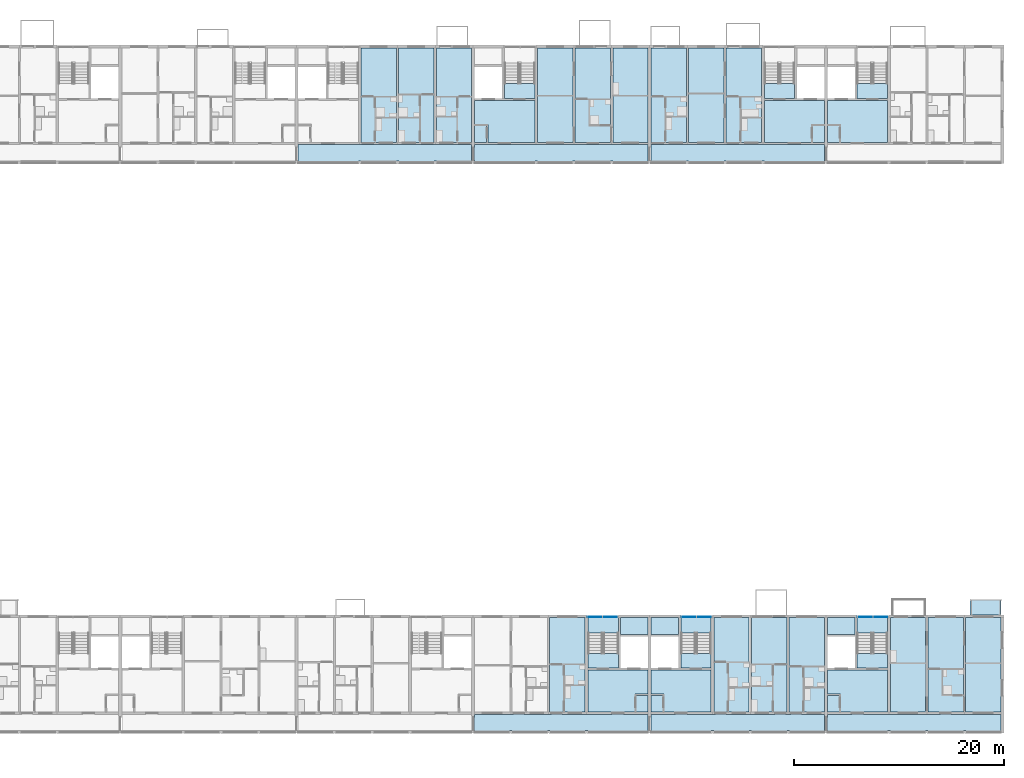
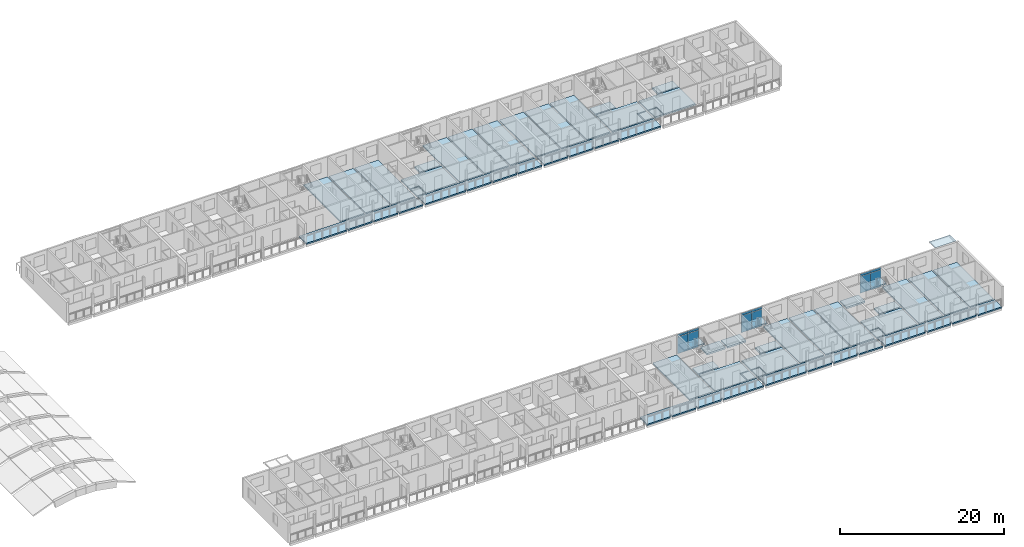
# One storey, part 27 of 93: 47 slabs, 12 plates, 6 elements without a shape of their own.
"""IFC4 building model written with IfcOpenShell, lengths in metres."""

from ifc_helpers import new_model, si_unit, direction, frame, origin, origin_2d, place, context, subcontext, project, spatial, polyline, rectangle, outline, extrude, material, layer, layer_set, type_object, element, aggregate, save


model = new_model("IFC4")

# Units and contexts
model_context = context("Model", 3, precision=1e-05, world=origin(), true_north=direction((0.0, 1.0)))
body_context = subcontext(model_context, "Body", "Model", "MODEL_VIEW")
ifc_project = project(units=[si_unit("LENGTHUNIT", "METRE"), si_unit("AREAUNIT", "SQUARE_METRE"), si_unit("VOLUMEUNIT", "CUBIC_METRE"), si_unit("PLANEANGLEUNIT", "RADIAN"), si_unit("MASSUNIT", "GRAM", prefix="KILO")], contexts=[model_context])

# Site, building, storey
site_placement = place(None, origin())
site = spatial("IfcSite", under=ifc_project, at=site_placement, CompositionType="ELEMENT")
building_placement = place(site_placement, origin())
building = spatial("IfcBuilding", under=site, at=building_placement, Name="Ridgestep Commons", CompositionType="ELEMENT")
storey_placement = place(building_placement, frame((0.0, 0.0, 18.0)))
storey = spatial("IfcBuildingStorey", under=building, at=storey_placement, Name="L06", CompositionType="ELEMENT", Elevation=18.0)

# Slabs
ifc_material_1 = material(Name="Precast concrete C40/50", Category="concrete")
ifc_layer_1 = layer(ifc_material_1, 0.199951171875)
ifc_layer_set_1 = layer_set([ifc_layer_1], Name="Gallery slab 200")
slab_type_1 = type_object("IfcSlabType", Name="Gallery slab 200", PredefinedType="FLOOR", material=ifc_layer_set_1)
slab_1_placement = place(storey_placement, frame((0.0, 0.0, -0.199951171875)))
element("IfcSlab", 1, at=slab_1_placement, inside=storey, type_object=slab_type_1, Name="Gallery slab C3 L06", PredefinedType="FLOOR", context=body_context, shape_type="SweptSolid", body=[
    extrude(outline(polyline([(197.050048828125, 67.800048828125), (180.550048828125, 67.800048828125), (180.550048828125, 66.0), (186.27490234375, 66.0), (186.27490234375, 66.25), (186.52490234375, 66.25), (186.52490234375, 66.0), (189.875, 66.0), (189.875, 66.25), (190.125, 66.25), (190.125, 66.0), (193.47509765625, 66.0), (193.47509765625, 66.25), (193.72509765625, 66.25), (193.72509765625, 66.0), (197.050048828125, 66.0), (197.050048828125, 67.800048828125)])), origin(), (0.0, 0.0, 1.0), 0.199951171875),
])
slab_2_placement = place(storey_placement, frame((0.0, 0.0, -0.199951171875)))
element("IfcSlab", 2, at=slab_2_placement, inside=storey, type_object=slab_type_1, Name="Gallery slab C4 L06", PredefinedType="FLOOR", context=body_context, shape_type="SweptSolid", body=[
    extrude(outline(polyline([(213.85009765625, 67.800048828125), (197.35009765625, 67.800048828125), (197.35009765625, 66.0), (203.074951171875, 66.0), (203.074951171875, 66.25), (203.324951171875, 66.25), (203.324951171875, 66.0), (206.675048828125, 66.0), (206.675048828125, 66.25), (206.925048828125, 66.25), (206.925048828125, 66.0), (210.27490234375, 66.0), (210.27490234375, 66.25), (210.52490234375, 66.25), (210.52490234375, 66.0), (213.85009765625, 66.0), (213.85009765625, 67.800048828125)])), origin(), (0.0, 0.0, 1.0), 0.199951171875),
])
slab_3_placement = place(storey_placement, frame((0.0, 0.0, -0.199951171875)))
element("IfcSlab", 3, at=slab_3_placement, inside=storey, type_object=slab_type_1, Name="Gallery slab C5 L06", PredefinedType="FLOOR", context=body_context, shape_type="SweptSolid", body=[
    extrude(outline(polyline([(230.64990234375, 67.800048828125), (214.14990234375, 67.800048828125), (214.14990234375, 66.0), (217.47509765625, 66.0), (217.47509765625, 66.25), (217.72509765625, 66.25), (217.72509765625, 66.0), (221.074951171875, 66.0), (221.074951171875, 66.25), (221.324951171875, 66.25), (221.324951171875, 66.0), (224.675048828125, 66.0), (224.675048828125, 66.25), (224.925048828125, 66.25), (224.925048828125, 66.0), (230.64990234375, 66.0), (230.64990234375, 67.800048828125)])), origin(), (0.0, 0.0, 1.0), 0.199951171875),
])
slab_4_placement = place(storey_placement, frame((0.0, 0.0, -0.199951171875)))
element("IfcSlab", 4, at=slab_4_placement, inside=storey, type_object=slab_type_1, Name="Gallery slab D4 L06", PredefinedType="FLOOR", context=body_context, shape_type="SweptSolid", body=[
    extrude(outline(polyline([(213.85009765625, 13.550048828125), (197.35009765625, 13.550048828125), (197.35009765625, 11.75), (200.675048828125, 11.75), (200.675048828125, 12.0), (200.925048828125, 12.0), (200.925048828125, 11.75), (204.27490234375, 11.75), (204.27490234375, 12.0), (204.52490234375, 12.0), (204.52490234375, 11.75), (207.875, 11.75), (207.875, 12.0), (208.125, 12.0), (208.125, 11.75), (213.85009765625, 11.75), (213.85009765625, 13.550048828125)])), origin(), (0.0, 0.0, 1.0), 0.199951171875),
])
slab_5_placement = place(storey_placement, frame((0.0, 0.0, -0.199951171875)))
element("IfcSlab", 5, at=slab_5_placement, inside=storey, type_object=slab_type_1, Name="Gallery slab D5 L06", PredefinedType="FLOOR", context=body_context, shape_type="SweptSolid", body=[
    extrude(outline(polyline([(230.64990234375, 13.550048828125), (214.14990234375, 13.550048828125), (214.14990234375, 11.75), (219.875, 11.75), (219.875, 12.0), (220.125, 12.0), (220.125, 11.75), (223.47509765625, 11.75), (223.47509765625, 12.0), (223.72509765625, 12.0), (223.72509765625, 11.75), (227.074951171875, 11.75), (227.074951171875, 12.0), (227.324951171875, 12.0), (227.324951171875, 11.75), (230.64990234375, 11.75), (230.64990234375, 13.550048828125)])), origin(), (0.0, 0.0, 1.0), 0.199951171875),
])
slab_6_placement = place(storey_placement, frame((0.0, 0.0, -0.199951171875)))
element("IfcSlab", 6, at=slab_6_placement, inside=storey, type_object=slab_type_1, Name="Gallery slab D6 L06", PredefinedType="FLOOR", context=body_context, shape_type="SweptSolid", body=[
    extrude(outline(polyline([(247.449951171875, 13.550048828125), (230.949951171875, 13.550048828125), (230.949951171875, 11.75), (236.675048828125, 11.75), (236.675048828125, 12.0), (236.925048828125, 12.0), (236.925048828125, 11.75), (240.27490234375, 11.75), (240.27490234375, 12.0), (240.52490234375, 12.0), (240.52490234375, 11.75), (243.875, 11.75), (243.875, 12.0), (244.125, 12.0), (244.125, 11.75), (247.449951171875, 11.75), (247.449951171875, 13.550048828125)])), origin(), (0.0, 0.0, 1.0), 0.199951171875),
])

# Curtain wall, plates
ifc_material_2 = material(Name="Aluminium 6063-T6 and glass", Category="aluminium")
curtain_wall_type = type_object("IfcCurtainWallType", Name="Curtain wall stair strip", PredefinedType="NOTDEFINED", material=ifc_material_2)
curtain_wall_1_placement = place(storey_placement, origin())
curtain_wall_1 = element("IfcCurtainWall", 7, at=curtain_wall_1_placement, inside=storey, type_object=curtain_wall_type, Name="Curtain wall D4C level 06", PredefinedType="NOTDEFINED")
ifc_material_3 = material(Name="Glass laminated 6/16/6 low-emissivity", Category="glass")
ifc_layer_2 = layer(ifc_material_3, 0.028076171875)
ifc_layer_set_2 = layer_set([ifc_layer_2], Name="Glazing panel 28")
plate_type_1 = type_object("IfcPlateType", Name="Glazing panel 28", PredefinedType="CURTAIN_PANEL", material=ifc_layer_set_2)
plate_1_placement = place(storey_placement, frame((208.771240234375, 22.830078125, 0.06005859375), z_axis=(0.0, 0.0, 1.0), x_axis=(1.0, 0.0, 0.0)))
plate_1 = element("IfcPlate", 8, at=plate_1_placement, type_object=plate_type_1, Name="CW1 panel 1.1", PredefinedType="CURTAIN_PANEL", context=body_context, shape_type="SweptSolid", body=[
    extrude(rectangle(XDim=1.422607421875, YDim=0.028076171875, at=origin_2d()), origin(), (0.0, 0.0, 1.0), 2.5),
])
plate_2_placement = place(storey_placement, frame((210.253662109375, 22.830078125, 0.06005859375), z_axis=(0.0, 0.0, 1.0), x_axis=(1.0, 0.0, 0.0)))
plate_2 = element("IfcPlate", 9, at=plate_2_placement, type_object=plate_type_1, Name="CW1 panel 2.1", PredefinedType="CURTAIN_PANEL", context=body_context, shape_type="SweptSolid", body=[
    extrude(rectangle(XDim=1.422607421875, YDim=0.028076171875, at=origin_2d()), origin(), (0.0, 0.0, 1.0), 2.5),
])

curtain_wall_2_placement = place(storey_placement, origin())
curtain_wall_2 = element("IfcCurtainWall", 10, at=curtain_wall_2_placement, inside=storey, type_object=curtain_wall_type, Name="Curtain wall D5C level 06", PredefinedType="NOTDEFINED")
plate_3_placement = place(storey_placement, frame((217.746337890625, 22.830078125, 0.06005859375), z_axis=(0.0, 0.0, 1.0), x_axis=(1.0, 0.0, 0.0)))
plate_3 = element("IfcPlate", 11, at=plate_3_placement, type_object=plate_type_1, Name="CW1 panel 1.1", PredefinedType="CURTAIN_PANEL", context=body_context, shape_type="SweptSolid", body=[
    extrude(rectangle(XDim=1.422607421875, YDim=0.028076171875, at=origin_2d()), origin(), (0.0, 0.0, 1.0), 2.5),
])
plate_4_placement = place(storey_placement, frame((219.228759765625, 22.830078125, 0.06005859375), z_axis=(0.0, 0.0, 1.0), x_axis=(1.0, 0.0, 0.0)))
plate_4 = element("IfcPlate", 12, at=plate_4_placement, type_object=plate_type_1, Name="CW1 panel 2.1", PredefinedType="CURTAIN_PANEL", context=body_context, shape_type="SweptSolid", body=[
    extrude(rectangle(XDim=1.422607421875, YDim=0.028076171875, at=origin_2d()), origin(), (0.0, 0.0, 1.0), 2.5),
])

curtain_wall_3_placement = place(storey_placement, origin())
curtain_wall_3 = element("IfcCurtainWall", 13, at=curtain_wall_3_placement, inside=storey, type_object=curtain_wall_type, Name="Curtain wall D6C level 06", PredefinedType="NOTDEFINED")
plate_5_placement = place(storey_placement, frame((234.546142578125, 22.830078125, 0.06005859375), z_axis=(0.0, 0.0, 1.0), x_axis=(1.0, 0.0, 0.0)))
plate_5 = element("IfcPlate", 14, at=plate_5_placement, type_object=plate_type_1, Name="CW1 panel 1.1", PredefinedType="CURTAIN_PANEL", context=body_context, shape_type="SweptSolid", body=[
    extrude(rectangle(XDim=1.422607421875, YDim=0.028076171875, at=origin_2d()), origin(), (0.0, 0.0, 1.0), 2.5),
])
plate_6_placement = place(storey_placement, frame((236.02880859375, 22.830078125, 0.06005859375), z_axis=(0.0, 0.0, 1.0), x_axis=(1.0, 0.0, 0.0)))
plate_6 = element("IfcPlate", 15, at=plate_6_placement, type_object=plate_type_1, Name="CW1 panel 2.1", PredefinedType="CURTAIN_PANEL", context=body_context, shape_type="SweptSolid", body=[
    extrude(rectangle(XDim=1.422607421875, YDim=0.028076171875, at=origin_2d()), origin(), (0.0, 0.0, 1.0), 2.5),
])

# Slabs
ifc_material_4 = material(Name="Precast concrete C50/60", Category="concrete")
ifc_layer_3 = layer(ifc_material_4, 0.199951171875)
ifc_layer_set_3 = layer_set([ifc_layer_3], Name="Hollow-core plank 200")
slab_type_2 = type_object("IfcSlabType", Name="Hollow-core plank 200", PredefinedType="FLOOR", material=ifc_layer_set_3)
slab_7_placement = place(storey_placement, frame((0.0, 0.0, -0.199951171875)))
element("IfcSlab", 16, at=slab_7_placement, inside=storey, type_object=slab_type_2, Name="Floor plank C3T3 L06", PredefinedType="FLOOR", context=body_context, shape_type="SweptSolid", body=[
    extrude(outline(polyline([(189.89990234375, 68.0), (189.89990234375, 77.0), (186.52490234375, 77.0), (186.52490234375, 68.0), (189.89990234375, 68.0)])), origin(), (0.0, 0.0, 1.0), 0.199951171875),
])
slab_8_placement = place(storey_placement, frame((0.0, 0.0, -0.199951171875)))
element("IfcSlab", 17, at=slab_8_placement, inside=storey, type_object=slab_type_2, Name="Floor plank C3T2 L06", PredefinedType="FLOOR", context=body_context, shape_type="SweptSolid", body=[
    extrude(outline(polyline([(193.5, 68.0), (193.5, 77.0), (190.10009765625, 77.0), (190.10009765625, 68.0), (193.5, 68.0)])), origin(), (0.0, 0.0, 1.0), 0.199951171875),
])
slab_9_placement = place(storey_placement, frame((0.0, 0.0, -0.199951171875)))
element("IfcSlab", 18, at=slab_9_placement, inside=storey, type_object=slab_type_2, Name="Floor plank C3T1 L06", PredefinedType="FLOOR", context=body_context, shape_type="SweptSolid", body=[
    extrude(outline(polyline([(197.050048828125, 68.0), (197.050048828125, 77.0), (193.699951171875, 77.0), (193.699951171875, 68.0), (197.050048828125, 68.0)])), origin(), (0.0, 0.0, 1.0), 0.199951171875),
])
slab_10_placement = place(storey_placement, frame((0.0, 0.0, -0.199951171875)))
element("IfcSlab", 19, at=slab_10_placement, inside=storey, type_object=slab_type_2, Name="Floor plank C4T3 L06", PredefinedType="FLOOR", context=body_context, shape_type="SweptSolid", body=[
    extrude(outline(polyline([(206.699951171875, 68.0), (206.699951171875, 77.0), (203.324951171875, 77.0), (203.324951171875, 68.0), (206.699951171875, 68.0)])), origin(), (0.0, 0.0, 1.0), 0.199951171875),
])
slab_11_placement = place(storey_placement, frame((0.0, 0.0, -0.199951171875)))
element("IfcSlab", 20, at=slab_11_placement, inside=storey, type_object=slab_type_2, Name="Floor plank C4T2 L06", PredefinedType="FLOOR", context=body_context, shape_type="SweptSolid", body=[
    extrude(outline(polyline([(210.300048828125, 68.0), (210.300048828125, 77.0), (206.89990234375, 77.0), (206.89990234375, 68.0), (210.300048828125, 68.0)])), origin(), (0.0, 0.0, 1.0), 0.199951171875),
])
slab_12_placement = place(storey_placement, frame((0.0, 0.0, -0.199951171875)))
element("IfcSlab", 21, at=slab_12_placement, inside=storey, type_object=slab_type_2, Name="Floor plank C4T1 L06", PredefinedType="FLOOR", context=body_context, shape_type="SweptSolid", body=[
    extrude(outline(polyline([(213.85009765625, 68.0), (213.85009765625, 77.0), (210.5, 77.0), (210.5, 68.0), (213.85009765625, 68.0)])), origin(), (0.0, 0.0, 1.0), 0.199951171875),
])
slab_13_placement = place(storey_placement, frame((0.0, 0.0, -0.199951171875)))
element("IfcSlab", 22, at=slab_13_placement, inside=storey, type_object=slab_type_2, Name="Floor plank C5T1 L06", PredefinedType="FLOOR", context=body_context, shape_type="SweptSolid", body=[
    extrude(outline(polyline([(217.5, 68.0), (217.5, 77.0), (214.14990234375, 77.0), (214.14990234375, 68.0), (217.5, 68.0)])), origin(), (0.0, 0.0, 1.0), 0.199951171875),
])
slab_14_placement = place(storey_placement, frame((0.0, 0.0, -0.199951171875)))
element("IfcSlab", 23, at=slab_14_placement, inside=storey, type_object=slab_type_2, Name="Floor plank C5T2 L06", PredefinedType="FLOOR", context=body_context, shape_type="SweptSolid", body=[
    extrude(outline(polyline([(221.10009765625, 68.0), (221.10009765625, 77.0), (217.699951171875, 77.0), (217.699951171875, 68.0), (221.10009765625, 68.0)])), origin(), (0.0, 0.0, 1.0), 0.199951171875),
])
slab_15_placement = place(storey_placement, frame((0.0, 0.0, -0.199951171875)))
element("IfcSlab", 24, at=slab_15_placement, inside=storey, type_object=slab_type_2, Name="Floor plank C5T3 L06", PredefinedType="FLOOR", context=body_context, shape_type="SweptSolid", body=[
    extrude(outline(polyline([(224.675048828125, 68.0), (224.675048828125, 77.0), (221.300048828125, 77.0), (221.300048828125, 68.0), (224.675048828125, 68.0)])), origin(), (0.0, 0.0, 1.0), 0.199951171875),
])
slab_16_placement = place(storey_placement, frame((0.0, 0.0, -0.199951171875)))
element("IfcSlab", 25, at=slab_16_placement, inside=storey, type_object=slab_type_2, Name="Floor plank D4T3 L06", PredefinedType="FLOOR", context=body_context, shape_type="SweptSolid", body=[
    extrude(outline(polyline([(207.875, 13.75), (207.875, 22.75), (204.5, 22.75), (204.5, 13.75), (207.875, 13.75)])), origin(), (0.0, 0.0, 1.0), 0.199951171875),
])
slab_17_placement = place(storey_placement, frame((0.0, 0.0, -0.199951171875)))
element("IfcSlab", 26, at=slab_17_placement, inside=storey, type_object=slab_type_2, Name="Floor plank D5T3 L06", PredefinedType="FLOOR", context=body_context, shape_type="SweptSolid", body=[
    extrude(outline(polyline([(223.47509765625, 13.75), (223.47509765625, 22.75), (220.125, 22.75), (220.125, 13.75), (223.47509765625, 13.75)])), origin(), (0.0, 0.0, 1.0), 0.199951171875),
])
slab_18_placement = place(storey_placement, frame((0.0, 0.0, -0.199951171875)))
element("IfcSlab", 27, at=slab_18_placement, inside=storey, type_object=slab_type_2, Name="Floor plank D5T2 L06", PredefinedType="FLOOR", context=body_context, shape_type="SweptSolid", body=[
    extrude(outline(polyline([(227.10009765625, 13.75), (227.10009765625, 22.75), (223.72509765625, 22.75), (223.72509765625, 13.75), (227.10009765625, 13.75)])), origin(), (0.0, 0.0, 1.0), 0.199951171875),
])
slab_19_placement = place(storey_placement, frame((0.0, 0.0, -0.199951171875)))
element("IfcSlab", 28, at=slab_19_placement, inside=storey, type_object=slab_type_2, Name="Floor plank D5T1 L06", PredefinedType="FLOOR", context=body_context, shape_type="SweptSolid", body=[
    extrude(outline(polyline([(230.64990234375, 13.75), (230.64990234375, 22.75), (227.300048828125, 22.75), (227.300048828125, 13.75), (230.64990234375, 13.75)])), origin(), (0.0, 0.0, 1.0), 0.199951171875),
])
slab_20_placement = place(storey_placement, frame((0.0, 0.0, -0.199951171875)))
element("IfcSlab", 29, at=slab_20_placement, inside=storey, type_object=slab_type_2, Name="Floor plank D6T3 L06", PredefinedType="FLOOR", context=body_context, shape_type="SweptSolid", body=[
    extrude(outline(polyline([(240.27490234375, 13.75), (240.27490234375, 22.75), (236.925048828125, 22.75), (236.925048828125, 13.75), (240.27490234375, 13.75)])), origin(), (0.0, 0.0, 1.0), 0.199951171875),
])
slab_21_placement = place(storey_placement, frame((0.0, 0.0, -0.199951171875)))
element("IfcSlab", 30, at=slab_21_placement, inside=storey, type_object=slab_type_2, Name="Floor plank D6T2 L06", PredefinedType="FLOOR", context=body_context, shape_type="SweptSolid", body=[
    extrude(outline(polyline([(243.89990234375, 13.75), (243.89990234375, 22.75), (240.52490234375, 22.75), (240.52490234375, 13.75), (243.89990234375, 13.75)])), origin(), (0.0, 0.0, 1.0), 0.199951171875),
])
slab_22_placement = place(storey_placement, frame((0.0, 0.0, -0.199951171875)))
element("IfcSlab", 31, at=slab_22_placement, inside=storey, type_object=slab_type_2, Name="Floor plank D6T1 L06", PredefinedType="FLOOR", context=body_context, shape_type="SweptSolid", body=[
    extrude(outline(polyline([(247.449951171875, 13.75), (247.449951171875, 22.75), (244.10009765625, 22.75), (244.10009765625, 13.75), (247.449951171875, 13.75)])), origin(), (0.0, 0.0, 1.0), 0.199951171875),
])
ifc_material_5 = material(Name="Precast concrete C50/60", Category="concrete")
ifc_layer_4 = layer(ifc_material_5, 0.25)
ifc_layer_set_4 = layer_set([ifc_layer_4], Name="Hollow-core plank 250")
slab_type_3 = type_object("IfcSlabType", Name="Hollow-core plank 250", PredefinedType="FLOOR", material=ifc_layer_set_4)
slab_23_placement = place(storey_placement, frame((0.0, 0.0, -0.25)))
element("IfcSlab", 32, at=slab_23_placement, inside=storey, type_object=slab_type_3, Name="Floor plank C4C L06", PredefinedType="FLOOR", context=body_context, shape_type="SweptSolid", body=[
    extrude(outline(polyline([(198.60009765625, 68.0), (203.074951171875, 68.0), (203.074951171875, 72.0), (197.35009765625, 72.0), (197.35009765625, 69.719970703125), (198.47998046875, 69.719970703125), (198.60009765625, 69.719970703125), (198.60009765625, 68.0)])), origin(), (0.0, 0.0, 1.0), 0.25),
])
slab_24_placement = place(storey_placement, frame((0.0, 0.0, -0.25)))
element("IfcSlab", 33, at=slab_24_placement, inside=storey, type_object=slab_type_3, Name="Floor plank C4C L06", PredefinedType="FLOOR", context=body_context, shape_type="SweptSolid", body=[
    extrude(outline(polyline([(203.074951171875, 72.199951171875), (203.074951171875, 73.60009765625), (200.175048828125, 73.60009765625), (200.175048828125, 72.199951171875), (203.074951171875, 72.199951171875)])), origin(), (0.0, 0.0, 1.0), 0.25),
])
slab_25_placement = place(storey_placement, frame((0.0, 0.0, -0.25)))
element("IfcSlab", 34, at=slab_25_placement, inside=storey, type_object=slab_type_3, Name="Floor plank C4C L06", PredefinedType="FLOOR", context=body_context, shape_type="SweptSolid", body=[
    extrude(outline(polyline([(198.47998046875, 69.60009765625), (197.35009765625, 69.60009765625), (197.35009765625, 68.0), (198.47998046875, 68.0), (198.47998046875, 69.60009765625)])), origin(), (0.0, 0.0, 1.0), 0.25),
])
slab_26_placement = place(storey_placement, frame((0.0, 0.0, -0.25)))
element("IfcSlab", 35, at=slab_26_placement, inside=storey, type_object=slab_type_3, Name="Floor plank C5C L06", PredefinedType="FLOOR", context=body_context, shape_type="SweptSolid", body=[
    extrude(outline(polyline([(229.52001953125, 69.719970703125), (230.64990234375, 69.719970703125), (230.64990234375, 72.0), (224.925048828125, 72.0), (224.925048828125, 68.0), (229.39990234375, 68.0), (229.39990234375, 69.719970703125), (229.52001953125, 69.719970703125)])), origin(), (0.0, 0.0, 1.0), 0.25),
])
slab_27_placement = place(storey_placement, frame((0.0, 0.0, -0.25)))
element("IfcSlab", 36, at=slab_27_placement, inside=storey, type_object=slab_type_3, Name="Floor plank C5C L06", PredefinedType="FLOOR", context=body_context, shape_type="SweptSolid", body=[
    extrude(outline(polyline([(227.824951171875, 72.199951171875), (227.824951171875, 73.60009765625), (224.925048828125, 73.60009765625), (224.925048828125, 72.199951171875), (227.824951171875, 72.199951171875)])), origin(), (0.0, 0.0, 1.0), 0.25),
])
slab_28_placement = place(storey_placement, frame((0.0, 0.0, -0.25)))
element("IfcSlab", 37, at=slab_28_placement, inside=storey, type_object=slab_type_3, Name="Floor plank C5C L06", PredefinedType="FLOOR", context=body_context, shape_type="SweptSolid", body=[
    extrude(outline(polyline([(229.52001953125, 68.0), (230.64990234375, 68.0), (230.64990234375, 69.60009765625), (229.52001953125, 69.60009765625), (229.52001953125, 68.0)])), origin(), (0.0, 0.0, 1.0), 0.25),
])
slab_29_placement = place(storey_placement, frame((0.0, 0.0, -0.25)))
element("IfcSlab", 38, at=slab_29_placement, inside=storey, type_object=slab_type_3, Name="Floor plank C6C L06", PredefinedType="FLOOR", context=body_context, shape_type="SweptSolid", body=[
    extrude(outline(polyline([(232.199951171875, 68.0), (236.675048828125, 68.0), (236.675048828125, 72.0), (230.949951171875, 72.0), (230.949951171875, 69.719970703125), (232.080078125, 69.719970703125), (232.199951171875, 69.719970703125), (232.199951171875, 68.0)])), origin(), (0.0, 0.0, 1.0), 0.25),
])
slab_30_placement = place(storey_placement, frame((0.0, 0.0, -0.25)))
element("IfcSlab", 39, at=slab_30_placement, inside=storey, type_object=slab_type_3, Name="Floor plank C6C L06", PredefinedType="FLOOR", context=body_context, shape_type="SweptSolid", body=[
    extrude(outline(polyline([(236.675048828125, 72.199951171875), (236.675048828125, 73.60009765625), (233.77490234375, 73.60009765625), (233.77490234375, 72.199951171875), (236.675048828125, 72.199951171875)])), origin(), (0.0, 0.0, 1.0), 0.25),
])
slab_31_placement = place(storey_placement, frame((0.0, 0.0, -0.25)))
element("IfcSlab", 40, at=slab_31_placement, inside=storey, type_object=slab_type_3, Name="Floor plank C6C L06", PredefinedType="FLOOR", context=body_context, shape_type="SweptSolid", body=[
    extrude(outline(polyline([(232.080078125, 69.60009765625), (230.949951171875, 69.60009765625), (230.949951171875, 68.0), (232.080078125, 68.0), (232.080078125, 69.60009765625)])), origin(), (0.0, 0.0, 1.0), 0.25),
])
slab_32_placement = place(storey_placement, frame((0.0, 0.0, -0.25)))
element("IfcSlab", 41, at=slab_32_placement, inside=storey, type_object=slab_type_3, Name="Floor plank D4C L06", PredefinedType="FLOOR", context=body_context, shape_type="SweptSolid", body=[
    extrude(outline(polyline([(212.719970703125, 15.469970703125), (213.85009765625, 15.469970703125), (213.85009765625, 17.75), (208.125, 17.75), (208.125, 13.75), (212.60009765625, 13.75), (212.60009765625, 15.469970703125), (212.719970703125, 15.469970703125)])), origin(), (0.0, 0.0, 1.0), 0.25),
])
slab_33_placement = place(storey_placement, frame((0.0, 0.0, -0.25)))
element("IfcSlab", 42, at=slab_33_placement, inside=storey, type_object=slab_type_3, Name="Floor plank D4C L06", PredefinedType="FLOOR", context=body_context, shape_type="SweptSolid", body=[
    extrude(outline(polyline([(213.85009765625, 21.14990234375), (213.85009765625, 22.75), (211.22509765625, 22.75), (211.22509765625, 21.14990234375), (213.85009765625, 21.14990234375)])), origin(), (0.0, 0.0, 1.0), 0.25),
])
slab_34_placement = place(storey_placement, frame((0.0, 0.0, -0.25)))
element("IfcSlab", 43, at=slab_34_placement, inside=storey, type_object=slab_type_3, Name="Floor plank D4C L06", PredefinedType="FLOOR", context=body_context, shape_type="SweptSolid", body=[
    extrude(outline(polyline([(211.02490234375, 17.949951171875), (211.02490234375, 19.35009765625), (208.125, 19.35009765625), (208.125, 17.949951171875), (211.02490234375, 17.949951171875)])), origin(), (0.0, 0.0, 1.0), 0.25),
])
slab_35_placement = place(storey_placement, frame((0.0, 0.0, -0.25)))
element("IfcSlab", 44, at=slab_35_placement, inside=storey, type_object=slab_type_3, Name="Floor plank D4C L06", PredefinedType="FLOOR", context=body_context, shape_type="SweptSolid", body=[
    extrude(outline(polyline([(212.719970703125, 13.75), (213.85009765625, 13.75), (213.85009765625, 15.35009765625), (212.719970703125, 15.35009765625), (212.719970703125, 13.75)])), origin(), (0.0, 0.0, 1.0), 0.25),
])
slab_36_placement = place(storey_placement, frame((0.0, 0.0, -0.25)))
element("IfcSlab", 45, at=slab_36_placement, inside=storey, type_object=slab_type_3, Name="Floor plank D5C L06", PredefinedType="FLOOR", context=body_context, shape_type="SweptSolid", body=[
    extrude(outline(polyline([(215.39990234375, 13.75), (219.875, 13.75), (219.875, 17.75), (214.14990234375, 17.75), (214.14990234375, 15.469970703125), (215.280029296875, 15.469970703125), (215.39990234375, 15.469970703125), (215.39990234375, 13.75)])), origin(), (0.0, 0.0, 1.0), 0.25),
])
slab_37_placement = place(storey_placement, frame((0.0, 0.0, -0.25)))
element("IfcSlab", 46, at=slab_37_placement, inside=storey, type_object=slab_type_3, Name="Floor plank D5C L06", PredefinedType="FLOOR", context=body_context, shape_type="SweptSolid", body=[
    extrude(outline(polyline([(216.77490234375, 22.75), (214.14990234375, 22.75), (214.14990234375, 21.14990234375), (216.77490234375, 21.14990234375), (216.77490234375, 22.75)])), origin(), (0.0, 0.0, 1.0), 0.25),
])
slab_38_placement = place(storey_placement, frame((0.0, 0.0, -0.25)))
element("IfcSlab", 47, at=slab_38_placement, inside=storey, type_object=slab_type_3, Name="Floor plank D5C L06", PredefinedType="FLOOR", context=body_context, shape_type="SweptSolid", body=[
    extrude(outline(polyline([(219.875, 17.949951171875), (219.875, 19.35009765625), (216.97509765625, 19.35009765625), (216.97509765625, 17.949951171875), (219.875, 17.949951171875)])), origin(), (0.0, 0.0, 1.0), 0.25),
])
slab_39_placement = place(storey_placement, frame((0.0, 0.0, -0.25)))
element("IfcSlab", 48, at=slab_39_placement, inside=storey, type_object=slab_type_3, Name="Floor plank D5C L06", PredefinedType="FLOOR", context=body_context, shape_type="SweptSolid", body=[
    extrude(outline(polyline([(215.280029296875, 15.35009765625), (214.14990234375, 15.35009765625), (214.14990234375, 13.75), (215.280029296875, 13.75), (215.280029296875, 15.35009765625)])), origin(), (0.0, 0.0, 1.0), 0.25),
])
slab_40_placement = place(storey_placement, frame((0.0, 0.0, -0.25)))
element("IfcSlab", 49, at=slab_40_placement, inside=storey, type_object=slab_type_3, Name="Floor plank D6C L06", PredefinedType="FLOOR", context=body_context, shape_type="SweptSolid", body=[
    extrude(outline(polyline([(232.199951171875, 13.75), (236.675048828125, 13.75), (236.675048828125, 17.75), (230.949951171875, 17.75), (230.949951171875, 15.469970703125), (232.080078125, 15.469970703125), (232.199951171875, 15.469970703125), (232.199951171875, 13.75)])), origin(), (0.0, 0.0, 1.0), 0.25),
])
slab_41_placement = place(storey_placement, frame((0.0, 0.0, -0.25)))
element("IfcSlab", 50, at=slab_41_placement, inside=storey, type_object=slab_type_3, Name="Floor plank D6C L06", PredefinedType="FLOOR", context=body_context, shape_type="SweptSolid", body=[
    extrude(outline(polyline([(233.574951171875, 22.75), (230.949951171875, 22.75), (230.949951171875, 21.14990234375), (233.574951171875, 21.14990234375), (233.574951171875, 22.75)])), origin(), (0.0, 0.0, 1.0), 0.25),
])
slab_42_placement = place(storey_placement, frame((0.0, 0.0, -0.25)))
element("IfcSlab", 51, at=slab_42_placement, inside=storey, type_object=slab_type_3, Name="Floor plank D6C L06", PredefinedType="FLOOR", context=body_context, shape_type="SweptSolid", body=[
    extrude(outline(polyline([(236.675048828125, 17.949951171875), (236.675048828125, 19.35009765625), (233.77490234375, 19.35009765625), (233.77490234375, 17.949951171875), (236.675048828125, 17.949951171875)])), origin(), (0.0, 0.0, 1.0), 0.25),
])
slab_43_placement = place(storey_placement, frame((0.0, 0.0, -0.25)))
element("IfcSlab", 52, at=slab_43_placement, inside=storey, type_object=slab_type_3, Name="Floor plank D6C L06", PredefinedType="FLOOR", context=body_context, shape_type="SweptSolid", body=[
    extrude(outline(polyline([(232.080078125, 15.35009765625), (230.949951171875, 15.35009765625), (230.949951171875, 13.75), (232.080078125, 13.75), (232.080078125, 15.35009765625)])), origin(), (0.0, 0.0, 1.0), 0.25),
])

# Plate
ifc_material_6 = material(Name="Aluminium 6063-T6 and mineral wool", Category="aluminium")
ifc_layer_5 = layer(ifc_material_6, 0.0400390625)
ifc_layer_set_5 = layer_set([ifc_layer_5], Name="Spandrel panel 40")
plate_type_2 = type_object("IfcPlateType", Name="Spandrel panel 40", PredefinedType="CURTAIN_PANEL", material=ifc_layer_set_5)
plate_7_placement = place(storey_placement, frame((208.771240234375, 22.830078125, 2.6201171875), z_axis=(0.0, 0.0, 1.0), x_axis=(1.0, 0.0, 0.0)))
plate_7 = element("IfcPlate", 53, at=plate_7_placement, type_object=plate_type_2, Name="CW1 panel 1.2", PredefinedType="CURTAIN_PANEL", context=body_context, shape_type="SweptSolid", body=[
    extrude(rectangle(XDim=1.422607421875, YDim=0.0400390625, at=origin_2d()), origin(), (0.0, 0.0, 1.0), 0.320068359375),
])

plate_8_placement = place(storey_placement, frame((210.253662109375, 22.830078125, 2.6201171875), z_axis=(0.0, 0.0, 1.0), x_axis=(1.0, 0.0, 0.0)))
plate_8 = element("IfcPlate", 54, at=plate_8_placement, type_object=plate_type_2, Name="CW1 panel 2.2", PredefinedType="CURTAIN_PANEL", context=body_context, shape_type="SweptSolid", body=[
    extrude(rectangle(XDim=1.422607421875, YDim=0.0400390625, at=origin_2d()), origin(), (0.0, 0.0, 1.0), 0.320068359375),
])

aggregate(curtain_wall_1, [plate_1, plate_7, plate_2, plate_8])

plate_9_placement = place(storey_placement, frame((217.746337890625, 22.830078125, 2.6201171875), z_axis=(0.0, 0.0, 1.0), x_axis=(1.0, 0.0, 0.0)))
plate_9 = element("IfcPlate", 55, at=plate_9_placement, type_object=plate_type_2, Name="CW1 panel 1.2", PredefinedType="CURTAIN_PANEL", context=body_context, shape_type="SweptSolid", body=[
    extrude(rectangle(XDim=1.422607421875, YDim=0.0400390625, at=origin_2d()), origin(), (0.0, 0.0, 1.0), 0.320068359375),
])

plate_10_placement = place(storey_placement, frame((219.228759765625, 22.830078125, 2.6201171875), z_axis=(0.0, 0.0, 1.0), x_axis=(1.0, 0.0, 0.0)))
plate_10 = element("IfcPlate", 56, at=plate_10_placement, type_object=plate_type_2, Name="CW1 panel 2.2", PredefinedType="CURTAIN_PANEL", context=body_context, shape_type="SweptSolid", body=[
    extrude(rectangle(XDim=1.422607421875, YDim=0.0400390625, at=origin_2d()), origin(), (0.0, 0.0, 1.0), 0.320068359375),
])

aggregate(curtain_wall_2, [plate_3, plate_9, plate_4, plate_10])

plate_11_placement = place(storey_placement, frame((234.546142578125, 22.830078125, 2.6201171875), z_axis=(0.0, 0.0, 1.0), x_axis=(1.0, 0.0, 0.0)))
plate_11 = element("IfcPlate", 57, at=plate_11_placement, type_object=plate_type_2, Name="CW1 panel 1.2", PredefinedType="CURTAIN_PANEL", context=body_context, shape_type="SweptSolid", body=[
    extrude(rectangle(XDim=1.422607421875, YDim=0.0400390625, at=origin_2d()), origin(), (0.0, 0.0, 1.0), 0.320068359375),
])

plate_12_placement = place(storey_placement, frame((236.02880859375, 22.830078125, 2.6201171875), z_axis=(0.0, 0.0, 1.0), x_axis=(1.0, 0.0, 0.0)))
plate_12 = element("IfcPlate", 58, at=plate_12_placement, type_object=plate_type_2, Name="CW1 panel 2.2", PredefinedType="CURTAIN_PANEL", context=body_context, shape_type="SweptSolid", body=[
    extrude(rectangle(XDim=1.422607421875, YDim=0.0400390625, at=origin_2d()), origin(), (0.0, 0.0, 1.0), 0.320068359375),
])

aggregate(curtain_wall_3, [plate_5, plate_11, plate_6, plate_12])

# Stair, slab
ifc_material_7 = material(Name="Precast concrete C40/50", Category="concrete")
stair_type = type_object("IfcStairType", Name="Escape stair 1400", PredefinedType="HALF_TURN_STAIR", material=ifc_material_7)
stair_1_placement = place(storey_placement, origin())
stair_1 = element("IfcStair", 59, at=stair_1_placement, inside=storey, type_object=stair_type, Name="L06 Escape stair D4C", PredefinedType="HALF_TURN_STAIR")
ifc_material_8 = material(Name="Precast concrete C40/50", Category="concrete")
ifc_layer_6 = layer(ifc_material_8, 0.199951171875)
ifc_layer_set_6 = layer_set([ifc_layer_6], Name="Stair landing 200")
slab_type_4 = type_object("IfcSlabType", Name="Stair landing 200", PredefinedType="LANDING", material=ifc_layer_set_6)
slab_44_placement = place(storey_placement, frame((0.0, 0.0, 1.300048828125)))
slab_44 = element("IfcSlab", 60, at=slab_44_placement, type_object=slab_type_4, Name="D4C landing 1", PredefinedType="LANDING", context=body_context, shape_type="SweptSolid", body=[
    extrude(outline(polyline([(211.02490234375, 21.31005859375), (211.02490234375, 22.75), (208.125, 22.75), (208.125, 21.31005859375), (211.02490234375, 21.31005859375)])), origin(), (0.0, 0.0, 1.0), 0.199951171875),
])
aggregate(stair_1, [slab_44])

stair_2_placement = place(storey_placement, origin())
stair_2 = element("IfcStair", 61, at=stair_2_placement, inside=storey, type_object=stair_type, Name="L06 Escape stair D5C", PredefinedType="HALF_TURN_STAIR")
slab_45_placement = place(storey_placement, frame((0.0, 0.0, 1.300048828125)))
slab_45 = element("IfcSlab", 62, at=slab_45_placement, type_object=slab_type_4, Name="D5C landing 1", PredefinedType="LANDING", context=body_context, shape_type="SweptSolid", body=[
    extrude(outline(polyline([(219.875, 21.31005859375), (219.875, 22.75), (216.97509765625, 22.75), (216.97509765625, 21.31005859375), (219.875, 21.31005859375)])), origin(), (0.0, 0.0, 1.0), 0.199951171875),
])
aggregate(stair_2, [slab_45])

stair_3_placement = place(storey_placement, origin())
stair_3 = element("IfcStair", 63, at=stair_3_placement, inside=storey, type_object=stair_type, Name="L06 Escape stair D6C", PredefinedType="HALF_TURN_STAIR")
slab_46_placement = place(storey_placement, frame((0.0, 0.0, 1.300048828125)))
slab_46 = element("IfcSlab", 64, at=slab_46_placement, type_object=slab_type_4, Name="D6C landing 1", PredefinedType="LANDING", context=body_context, shape_type="SweptSolid", body=[
    extrude(outline(polyline([(236.675048828125, 21.31005859375), (236.675048828125, 22.75), (233.77490234375, 22.75), (233.77490234375, 21.31005859375), (236.675048828125, 21.31005859375)])), origin(), (0.0, 0.0, 1.0), 0.199951171875),
])
aggregate(stair_3, [slab_46])

# Slab
ifc_material_9 = material(Name="Weathering steel S355J2W", Category="steel")
ifc_layer_7 = layer(ifc_material_9, 0.010009765625)
ifc_layer_set_7 = layer_set([ifc_layer_7], Name="Tray 3.0 x 1.5")
slab_type_5 = type_object("IfcSlabType", Name="Tray 3.0 x 1.5", PredefinedType="FLOOR", material=ifc_layer_set_7)
slab_47_placement = place(storey_placement, frame((0.0, 0.0, 2.989990234375)))
element("IfcSlab", 65, at=slab_47_placement, inside=storey, type_object=slab_type_5, Name="Tray deck D6T1-07", PredefinedType="FLOOR", context=body_context, shape_type="SweptSolid", body=[
    extrude(outline(polyline([(244.530029296875, 23.0), (247.469970703125, 23.0), (247.469970703125, 24.5), (244.530029296875, 24.5), (244.530029296875, 23.0)])), origin(), (0.0, 0.0, 1.0), 0.010009765625),
])

save(model, "model.ifc")
